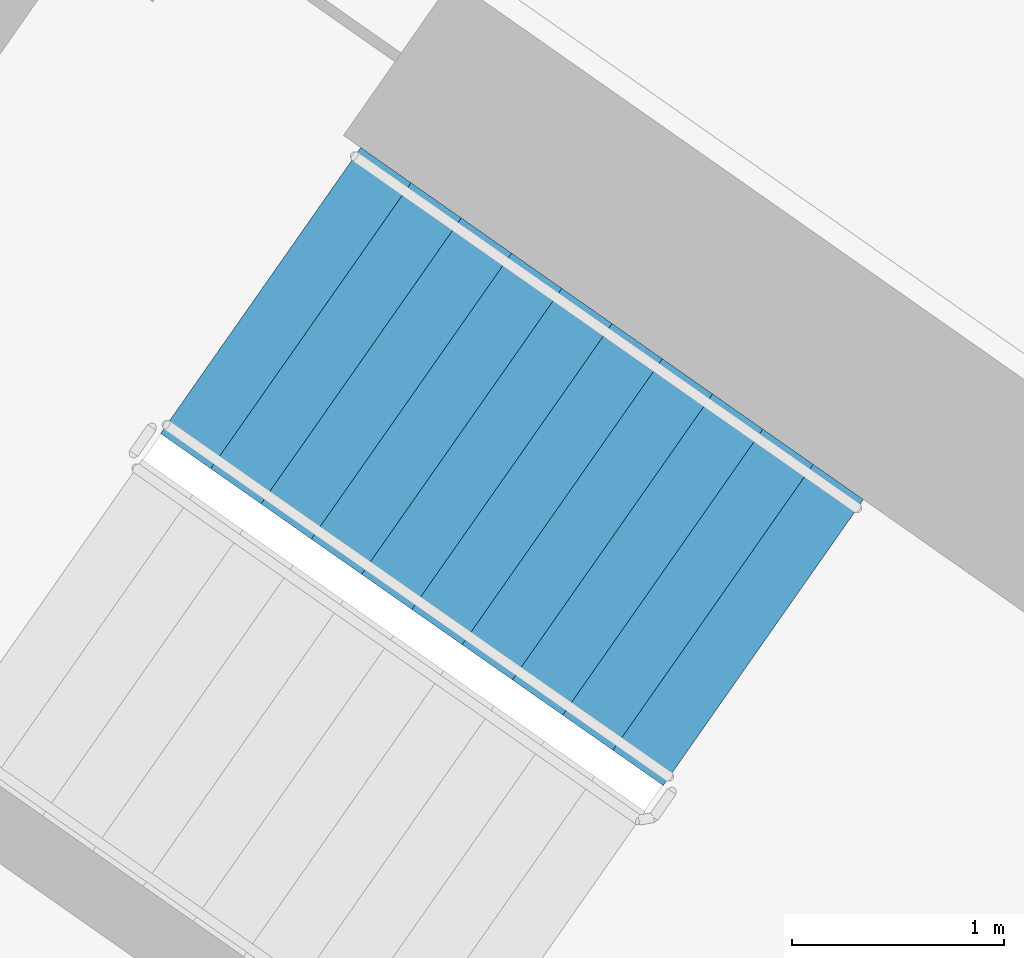
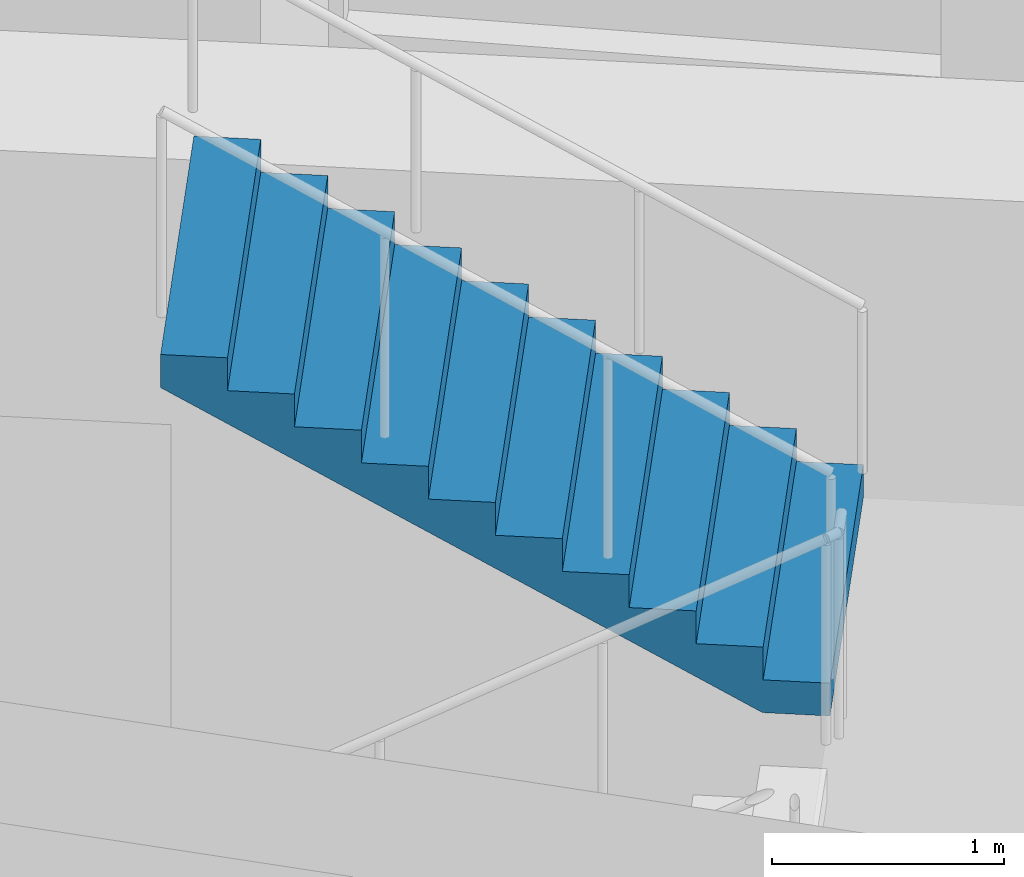
# One storey, part 14 of 30: 1 stair flight, 1 element without a shape of its own.
"""IFC4 building model written with IfcOpenShell, lengths in metres."""

from ifc_helpers import new_model, si_unit, direction, frame, origin, place, context, subcontext, project, spatial, faceted_brep, material, type_object, element, aggregate, save


model = new_model("IFC4")

# Units and contexts
model_context = context("Model", 3, precision=1e-05, world=origin(), true_north=direction((0.0, 1.0)))
body_context = subcontext(model_context, "Body", "Model", "MODEL_VIEW")
ifc_project = project(units=[si_unit("LENGTHUNIT", "METRE"), si_unit("AREAUNIT", "SQUARE_METRE"), si_unit("VOLUMEUNIT", "CUBIC_METRE"), si_unit("PLANEANGLEUNIT", "RADIAN"), si_unit("MASSUNIT", "GRAM", prefix="KILO")], contexts=[model_context])

# Site, building, storey
site_placement = place(None, origin())
site = spatial("IfcSite", under=ifc_project, at=site_placement, CompositionType="ELEMENT")
building_placement = place(site_placement, origin())
building = spatial("IfcBuilding", under=site, at=building_placement, Name="Qamariyya Broadcast Tower", CompositionType="ELEMENT")
storey_placement = place(building_placement, frame((0.0, 0.0, 125.300048828125)))
storey = spatial("IfcBuildingStorey", under=building, at=storey_placement, Name="L28", CompositionType="ELEMENT", Elevation=125.300048828125)

# Stair, stair flight
ifc_material = material(Name="Concrete C50/60", Category="concrete")
stair_type = type_object("IfcStairType", Name="Exit stair 22 risers of 173 mm", PredefinedType="HALF_TURN_STAIR", material=ifc_material)
stair_placement = place(storey_placement, origin())
stair = element("IfcStair", 1, at=stair_placement, inside=storey, type_object=stair_type, Name="L28 Stair W2", PredefinedType="HALF_TURN_STAIR")
stair_flight_type = type_object("IfcStairFlightType", Name="Exit stair flight 11 risers of 173 mm", PredefinedType="STRAIGHT", material=ifc_material)
stair_flight_placement = place(storey_placement, frame((-38.18310546875, -49.3486328125, 1.89990234375), z_axis=(0.0, 0.0, 1.0), x_axis=(-0.819152044289, 0.573576436351, 0.0)))
stair_flight = element("IfcStairFlight", 2, at=stair_flight_placement, type_object=stair_flight_type, Name="ST-W2 flight 2", NumberOfRisers=11, NumberOfTreads=10, PredefinedType="STRAIGHT", RiserHeight=0.172727273, TreadLength=0.29, context=body_context, shape_type="Brep", body=[
    faceted_brep([(0.0, 0.824951171875, 0.0), (0.0, 0.824951171875, 0.172607421875), (0.2900390625, 0.824951171875, 0.172607421875), (0.2900390625, 0.824951171875, 0.345458984375), (0.580078125, 0.824951171875, 0.345458984375), (0.580078125, 0.824951171875, 0.51806640625), (0.8701171875, 0.824951171875, 0.51806640625), (0.8701171875, 0.824951171875, 0.69091796875), (1.159912109375, 0.824951171875, 0.69091796875), (1.159912109375, 0.824951171875, 0.863525390625), (1.449951171875, 0.824951171875, 0.863525390625), (1.449951171875, 0.824951171875, 1.036376953125), (1.739990234375, 0.824951171875, 1.036376953125), (1.739990234375, 0.824951171875, 1.208984375), (2.030029296875, 0.824951171875, 1.208984375), (2.030029296875, 0.824951171875, 1.3818359375), (2.320068359375, 0.824951171875, 1.3818359375), (2.320068359375, 0.824951171875, 1.554443359375), (2.610107421875, 0.824951171875, 1.554443359375), (2.610107421875, 0.824951171875, 1.727294921875), (2.89990234375, 0.824951171875, 1.727294921875), (2.89990234375, 0.824951171875, 1.552734375), (0.29296875, 0.824951171875, 0.0), (0.29296875, -0.824951171875, 0.0), (2.89990234375, -0.824951171875, 1.552734375), (2.89990234375, -0.824951171875, 1.727294921875), (2.610107421875, -0.824951171875, 1.727294921875), (2.610107421875, -0.824951171875, 1.554443359375), (2.320068359375, -0.824951171875, 1.554443359375), (2.320068359375, -0.824951171875, 1.3818359375), (2.030029296875, -0.824951171875, 1.3818359375), (2.030029296875, -0.824951171875, 1.208984375), (1.739990234375, -0.824951171875, 1.208984375), (1.739990234375, -0.824951171875, 1.036376953125), (1.449951171875, -0.824951171875, 1.036376953125), (1.449951171875, -0.824951171875, 0.863525390625), (1.159912109375, -0.824951171875, 0.863525390625), (1.159912109375, -0.824951171875, 0.69091796875), (0.8701171875, -0.824951171875, 0.69091796875), (0.8701171875, -0.824951171875, 0.51806640625), (0.580078125, -0.824951171875, 0.51806640625), (0.580078125, -0.824951171875, 0.345458984375), (0.2900390625, -0.824951171875, 0.345458984375), (0.2900390625, -0.824951171875, 0.172607421875), (0.0, -0.824951171875, 0.172607421875), (0.0, -0.824951171875, 0.0), (0.0, 0.10009765625, 0.0), (0.0, 0.086669921875, 0.0), (0.0, 0.0732421875, 0.0), (0.0, 0.06005859375, 0.0), (0.0, 0.046630859375, 0.0), (0.0, 0.033447265625, 0.0), (0.0, 0.02001953125, 0.0), (0.0, 0.006591796875, 0.0), (0.0, -0.006591796875, 0.0), (0.0, -0.02001953125, 0.0), (0.0, -0.033447265625, 0.0), (0.0, -0.046630859375, 0.0), (0.0, -0.06005859375, 0.0), (0.0, -0.0732421875, 0.0), (0.0, -0.086669921875, 0.0), (0.0, -0.10009765625, 0.0), (0.0, -0.10009765625, 0.172607421875), (0.0, -0.086669921875, 0.172607421875), (0.0, -0.0732421875, 0.172607421875), (0.0, -0.06005859375, 0.172607421875), (0.0, -0.046630859375, 0.172607421875), (0.0, -0.033447265625, 0.172607421875), (0.0, -0.02001953125, 0.172607421875), (0.0, -0.006591796875, 0.172607421875), (0.0, 0.006591796875, 0.172607421875), (0.0, 0.02001953125, 0.172607421875), (0.0, 0.033447265625, 0.172607421875), (0.0, 0.046630859375, 0.172607421875), (0.0, 0.06005859375, 0.172607421875), (0.0, 0.0732421875, 0.172607421875), (0.0, 0.086669921875, 0.172607421875), (0.0, 0.10009765625, 0.172607421875), (0.2900390625, -0.10009765625, 0.172607421875), (0.2900390625, -0.086669921875, 0.172607421875), (0.2900390625, -0.0732421875, 0.172607421875), (0.2900390625, -0.06005859375, 0.172607421875), (0.2900390625, -0.046630859375, 0.172607421875), (0.2900390625, -0.033447265625, 0.172607421875), (0.2900390625, -0.02001953125, 0.172607421875), (0.2900390625, -0.006591796875, 0.172607421875), (0.2900390625, 0.006591796875, 0.172607421875), (0.2900390625, 0.02001953125, 0.172607421875), (0.2900390625, 0.033447265625, 0.172607421875), (0.2900390625, 0.046630859375, 0.172607421875), (0.2900390625, 0.06005859375, 0.172607421875), (0.2900390625, 0.0732421875, 0.172607421875), (0.2900390625, 0.086669921875, 0.172607421875), (0.2900390625, 0.10009765625, 0.172607421875), (0.2900390625, -0.10009765625, 0.345458984375), (0.2900390625, -0.086669921875, 0.345458984375), (0.2900390625, -0.0732421875, 0.345458984375), (0.2900390625, -0.06005859375, 0.345458984375), (0.2900390625, -0.046630859375, 0.345458984375), (0.2900390625, -0.033447265625, 0.345458984375), (0.2900390625, -0.02001953125, 0.345458984375), (0.2900390625, -0.006591796875, 0.345458984375), (0.2900390625, 0.006591796875, 0.345458984375), (0.2900390625, 0.02001953125, 0.345458984375), (0.2900390625, 0.033447265625, 0.345458984375), (0.2900390625, 0.046630859375, 0.345458984375), (0.2900390625, 0.06005859375, 0.345458984375), (0.2900390625, 0.0732421875, 0.345458984375), (0.2900390625, 0.086669921875, 0.345458984375), (0.2900390625, 0.10009765625, 0.345458984375), (0.580078125, -0.10009765625, 0.345458984375), (0.580078125, -0.086669921875, 0.345458984375), (0.580078125, -0.0732421875, 0.345458984375), (0.580078125, -0.06005859375, 0.345458984375), (0.580078125, -0.046630859375, 0.345458984375), (0.580078125, -0.033447265625, 0.345458984375), (0.580078125, -0.02001953125, 0.345458984375), (0.580078125, -0.006591796875, 0.345458984375), (0.580078125, 0.006591796875, 0.345458984375), (0.580078125, 0.02001953125, 0.345458984375), (0.580078125, 0.033447265625, 0.345458984375), (0.580078125, 0.046630859375, 0.345458984375), (0.580078125, 0.06005859375, 0.345458984375), (0.580078125, 0.0732421875, 0.345458984375), (0.580078125, 0.086669921875, 0.345458984375), (0.580078125, 0.10009765625, 0.345458984375), (0.580078125, -0.10009765625, 0.51806640625), (0.580078125, -0.086669921875, 0.51806640625), (0.580078125, -0.0732421875, 0.51806640625), (0.580078125, -0.06005859375, 0.51806640625), (0.580078125, -0.046630859375, 0.51806640625), (0.580078125, -0.033447265625, 0.51806640625), (0.580078125, -0.02001953125, 0.51806640625), (0.580078125, -0.006591796875, 0.51806640625), (0.580078125, 0.006591796875, 0.51806640625), (0.580078125, 0.02001953125, 0.51806640625), (0.580078125, 0.033447265625, 0.51806640625), (0.580078125, 0.046630859375, 0.51806640625), (0.580078125, 0.06005859375, 0.51806640625), (0.580078125, 0.0732421875, 0.51806640625), (0.580078125, 0.086669921875, 0.51806640625), (0.580078125, 0.10009765625, 0.51806640625), (0.8701171875, -0.10009765625, 0.51806640625), (0.8701171875, -0.086669921875, 0.51806640625), (0.8701171875, -0.0732421875, 0.51806640625), (0.8701171875, -0.06005859375, 0.51806640625), (0.8701171875, -0.046630859375, 0.51806640625), (0.8701171875, -0.033447265625, 0.51806640625), (0.8701171875, -0.02001953125, 0.51806640625), (0.8701171875, -0.006591796875, 0.51806640625), (0.8701171875, 0.006591796875, 0.51806640625), (0.8701171875, 0.02001953125, 0.51806640625), (0.8701171875, 0.033447265625, 0.51806640625), (0.8701171875, 0.046630859375, 0.51806640625), (0.8701171875, 0.06005859375, 0.51806640625), (0.8701171875, 0.0732421875, 0.51806640625), (0.8701171875, 0.086669921875, 0.51806640625), (0.8701171875, 0.10009765625, 0.51806640625), (0.8701171875, -0.10009765625, 0.69091796875), (0.8701171875, -0.086669921875, 0.69091796875), (0.8701171875, -0.0732421875, 0.69091796875), (0.8701171875, -0.06005859375, 0.69091796875), (0.8701171875, -0.046630859375, 0.69091796875), (0.8701171875, -0.033447265625, 0.69091796875), (0.8701171875, -0.02001953125, 0.69091796875), (0.8701171875, -0.006591796875, 0.69091796875), (0.8701171875, 0.006591796875, 0.69091796875), (0.8701171875, 0.02001953125, 0.69091796875), (0.8701171875, 0.033447265625, 0.69091796875), (0.8701171875, 0.046630859375, 0.69091796875), (0.8701171875, 0.06005859375, 0.69091796875), (0.8701171875, 0.0732421875, 0.69091796875), (0.8701171875, 0.086669921875, 0.69091796875), (0.8701171875, 0.10009765625, 0.69091796875), (1.159912109375, -0.10009765625, 0.69091796875), (1.159912109375, -0.086669921875, 0.69091796875), (1.159912109375, -0.0732421875, 0.69091796875), (1.159912109375, -0.06005859375, 0.69091796875), (1.159912109375, -0.046630859375, 0.69091796875), (1.159912109375, -0.033447265625, 0.69091796875), (1.159912109375, -0.02001953125, 0.69091796875), (1.159912109375, -0.006591796875, 0.69091796875), (1.159912109375, 0.006591796875, 0.69091796875), (1.159912109375, 0.02001953125, 0.69091796875), (1.159912109375, 0.033447265625, 0.69091796875), (1.159912109375, 0.046630859375, 0.69091796875), (1.159912109375, 0.06005859375, 0.69091796875), (1.159912109375, 0.0732421875, 0.69091796875), (1.159912109375, 0.086669921875, 0.69091796875), (1.159912109375, 0.10009765625, 0.69091796875), (1.159912109375, -0.10009765625, 0.863525390625), (1.159912109375, -0.086669921875, 0.863525390625), (1.159912109375, -0.0732421875, 0.863525390625), (1.159912109375, -0.06005859375, 0.863525390625), (1.159912109375, -0.046630859375, 0.863525390625), (1.159912109375, -0.033447265625, 0.863525390625), (1.159912109375, -0.02001953125, 0.863525390625), (1.159912109375, -0.006591796875, 0.863525390625), (1.159912109375, 0.006591796875, 0.863525390625), (1.159912109375, 0.02001953125, 0.863525390625), (1.159912109375, 0.033447265625, 0.863525390625), (1.159912109375, 0.046630859375, 0.863525390625), (1.159912109375, 0.06005859375, 0.863525390625), (1.159912109375, 0.0732421875, 0.863525390625), (1.159912109375, 0.086669921875, 0.863525390625), (1.159912109375, 0.10009765625, 0.863525390625), (1.449951171875, -0.10009765625, 0.863525390625), (1.449951171875, -0.086669921875, 0.863525390625), (1.449951171875, -0.0732421875, 0.863525390625), (1.449951171875, -0.06005859375, 0.863525390625), (1.449951171875, -0.046630859375, 0.863525390625), (1.449951171875, -0.033447265625, 0.863525390625), (1.449951171875, -0.02001953125, 0.863525390625), (1.449951171875, -0.006591796875, 0.863525390625), (1.449951171875, 0.006591796875, 0.863525390625), (1.449951171875, 0.02001953125, 0.863525390625), (1.449951171875, 0.033447265625, 0.863525390625), (1.449951171875, 0.046630859375, 0.863525390625), (1.449951171875, 0.06005859375, 0.863525390625), (1.449951171875, 0.0732421875, 0.863525390625), (1.449951171875, 0.086669921875, 0.863525390625), (1.449951171875, 0.10009765625, 0.863525390625), (1.449951171875, -0.10009765625, 1.036376953125), (1.449951171875, -0.086669921875, 1.036376953125), (1.449951171875, -0.0732421875, 1.036376953125), (1.449951171875, -0.06005859375, 1.036376953125), (1.449951171875, -0.046630859375, 1.036376953125), (1.449951171875, -0.033447265625, 1.036376953125), (1.449951171875, -0.02001953125, 1.036376953125), (1.449951171875, -0.006591796875, 1.036376953125), (1.449951171875, 0.006591796875, 1.036376953125), (1.449951171875, 0.02001953125, 1.036376953125), (1.449951171875, 0.033447265625, 1.036376953125), (1.449951171875, 0.046630859375, 1.036376953125), (1.449951171875, 0.06005859375, 1.036376953125), (1.449951171875, 0.0732421875, 1.036376953125), (1.449951171875, 0.086669921875, 1.036376953125), (1.449951171875, 0.10009765625, 1.036376953125), (1.739990234375, -0.10009765625, 1.036376953125), (1.739990234375, -0.086669921875, 1.036376953125), (1.739990234375, -0.0732421875, 1.036376953125), (1.739990234375, -0.06005859375, 1.036376953125), (1.739990234375, -0.046630859375, 1.036376953125), (1.739990234375, -0.033447265625, 1.036376953125), (1.739990234375, -0.02001953125, 1.036376953125), (1.739990234375, -0.006591796875, 1.036376953125), (1.739990234375, 0.006591796875, 1.036376953125), (1.739990234375, 0.02001953125, 1.036376953125), (1.739990234375, 0.033447265625, 1.036376953125), (1.739990234375, 0.046630859375, 1.036376953125), (1.739990234375, 0.06005859375, 1.036376953125), (1.739990234375, 0.0732421875, 1.036376953125), (1.739990234375, 0.086669921875, 1.036376953125), (1.739990234375, 0.10009765625, 1.036376953125), (1.739990234375, -0.10009765625, 1.208984375), (1.739990234375, -0.086669921875, 1.208984375), (1.739990234375, -0.0732421875, 1.208984375), (1.739990234375, -0.06005859375, 1.208984375), (1.739990234375, -0.046630859375, 1.208984375), (1.739990234375, -0.033447265625, 1.208984375), (1.739990234375, -0.02001953125, 1.208984375), (1.739990234375, -0.006591796875, 1.208984375), (1.739990234375, 0.006591796875, 1.208984375), (1.739990234375, 0.02001953125, 1.208984375), (1.739990234375, 0.033447265625, 1.208984375), (1.739990234375, 0.046630859375, 1.208984375), (1.739990234375, 0.06005859375, 1.208984375), (1.739990234375, 0.0732421875, 1.208984375), (1.739990234375, 0.086669921875, 1.208984375), (1.739990234375, 0.10009765625, 1.208984375), (2.030029296875, -0.10009765625, 1.208984375), (2.030029296875, -0.086669921875, 1.208984375), (2.030029296875, -0.0732421875, 1.208984375), (2.030029296875, -0.06005859375, 1.208984375), (2.030029296875, -0.046630859375, 1.208984375), (2.030029296875, -0.033447265625, 1.208984375), (2.030029296875, -0.02001953125, 1.208984375), (2.030029296875, -0.006591796875, 1.208984375), (2.030029296875, 0.006591796875, 1.208984375), (2.030029296875, 0.02001953125, 1.208984375), (2.030029296875, 0.033447265625, 1.208984375), (2.030029296875, 0.046630859375, 1.208984375), (2.030029296875, 0.06005859375, 1.208984375), (2.030029296875, 0.0732421875, 1.208984375), (2.030029296875, 0.086669921875, 1.208984375), (2.030029296875, 0.10009765625, 1.208984375), (2.030029296875, -0.10009765625, 1.3818359375), (2.030029296875, -0.086669921875, 1.3818359375), (2.030029296875, -0.0732421875, 1.3818359375), (2.030029296875, -0.06005859375, 1.3818359375), (2.030029296875, -0.046630859375, 1.3818359375), (2.030029296875, -0.033447265625, 1.3818359375), (2.030029296875, -0.02001953125, 1.3818359375), (2.030029296875, -0.006591796875, 1.3818359375), (2.030029296875, 0.006591796875, 1.3818359375), (2.030029296875, 0.02001953125, 1.3818359375), (2.030029296875, 0.033447265625, 1.3818359375), (2.030029296875, 0.046630859375, 1.3818359375), (2.030029296875, 0.06005859375, 1.3818359375), (2.030029296875, 0.0732421875, 1.3818359375), (2.030029296875, 0.086669921875, 1.3818359375), (2.030029296875, 0.10009765625, 1.3818359375), (2.320068359375, -0.10009765625, 1.3818359375), (2.320068359375, -0.086669921875, 1.3818359375), (2.320068359375, -0.0732421875, 1.3818359375), (2.320068359375, -0.06005859375, 1.3818359375), (2.320068359375, -0.046630859375, 1.3818359375), (2.320068359375, -0.033447265625, 1.3818359375), (2.320068359375, -0.02001953125, 1.3818359375), (2.320068359375, -0.006591796875, 1.3818359375), (2.320068359375, 0.006591796875, 1.3818359375), (2.320068359375, 0.02001953125, 1.3818359375), (2.320068359375, 0.033447265625, 1.3818359375), (2.320068359375, 0.046630859375, 1.3818359375), (2.320068359375, 0.06005859375, 1.3818359375), (2.320068359375, 0.0732421875, 1.3818359375), (2.320068359375, 0.086669921875, 1.3818359375), (2.320068359375, 0.10009765625, 1.3818359375), (2.320068359375, -0.10009765625, 1.554443359375), (2.320068359375, -0.086669921875, 1.554443359375), (2.320068359375, -0.0732421875, 1.554443359375), (2.320068359375, -0.06005859375, 1.554443359375), (2.320068359375, -0.046630859375, 1.554443359375), (2.320068359375, -0.033447265625, 1.554443359375), (2.320068359375, -0.02001953125, 1.554443359375), (2.320068359375, -0.006591796875, 1.554443359375), (2.320068359375, 0.006591796875, 1.554443359375), (2.320068359375, 0.02001953125, 1.554443359375), (2.320068359375, 0.033447265625, 1.554443359375), (2.320068359375, 0.046630859375, 1.554443359375), (2.320068359375, 0.06005859375, 1.554443359375), (2.320068359375, 0.0732421875, 1.554443359375), (2.320068359375, 0.086669921875, 1.554443359375), (2.320068359375, 0.10009765625, 1.554443359375), (2.610107421875, -0.10009765625, 1.554443359375), (2.610107421875, -0.086669921875, 1.554443359375), (2.610107421875, -0.0732421875, 1.554443359375), (2.610107421875, -0.06005859375, 1.554443359375), (2.610107421875, -0.046630859375, 1.554443359375), (2.610107421875, -0.033447265625, 1.554443359375), (2.610107421875, -0.02001953125, 1.554443359375), (2.610107421875, -0.006591796875, 1.554443359375), (2.610107421875, 0.006591796875, 1.554443359375), (2.610107421875, 0.02001953125, 1.554443359375), (2.610107421875, 0.033447265625, 1.554443359375), (2.610107421875, 0.046630859375, 1.554443359375), (2.610107421875, 0.06005859375, 1.554443359375), (2.610107421875, 0.0732421875, 1.554443359375), (2.610107421875, 0.086669921875, 1.554443359375), (2.610107421875, 0.10009765625, 1.554443359375), (2.610107421875, -0.10009765625, 1.727294921875), (2.610107421875, -0.086669921875, 1.727294921875), (2.610107421875, -0.0732421875, 1.727294921875), (2.610107421875, -0.06005859375, 1.727294921875), (2.610107421875, -0.046630859375, 1.727294921875), (2.610107421875, -0.033447265625, 1.727294921875), (2.610107421875, -0.02001953125, 1.727294921875), (2.610107421875, -0.006591796875, 1.727294921875), (2.610107421875, 0.006591796875, 1.727294921875), (2.610107421875, 0.02001953125, 1.727294921875), (2.610107421875, 0.033447265625, 1.727294921875), (2.610107421875, 0.046630859375, 1.727294921875), (2.610107421875, 0.06005859375, 1.727294921875), (2.610107421875, 0.0732421875, 1.727294921875), (2.610107421875, 0.086669921875, 1.727294921875), (2.610107421875, 0.10009765625, 1.727294921875), (2.89990234375, -0.10009765625, 1.727294921875), (2.89990234375, -0.086669921875, 1.727294921875), (2.89990234375, -0.0732421875, 1.727294921875), (2.89990234375, -0.06005859375, 1.727294921875), (2.89990234375, -0.046630859375, 1.727294921875), (2.89990234375, -0.033447265625, 1.727294921875), (2.89990234375, -0.02001953125, 1.727294921875), (2.89990234375, -0.006591796875, 1.727294921875), (2.89990234375, 0.006591796875, 1.727294921875), (2.89990234375, 0.02001953125, 1.727294921875), (2.89990234375, 0.033447265625, 1.727294921875), (2.89990234375, 0.046630859375, 1.727294921875), (2.89990234375, 0.06005859375, 1.727294921875), (2.89990234375, 0.0732421875, 1.727294921875), (2.89990234375, 0.086669921875, 1.727294921875), (2.89990234375, 0.10009765625, 1.727294921875), (2.89990234375, -0.10009765625, 1.552734375), (2.89990234375, -0.086669921875, 1.552734375), (2.89990234375, -0.0732421875, 1.552734375), (2.89990234375, -0.06005859375, 1.552734375), (2.89990234375, -0.046630859375, 1.552734375), (2.89990234375, -0.033447265625, 1.552734375), (2.89990234375, -0.02001953125, 1.552734375), (2.89990234375, -0.006591796875, 1.552734375), (2.89990234375, 0.006591796875, 1.552734375), (2.89990234375, 0.02001953125, 1.552734375), (2.89990234375, 0.033447265625, 1.552734375), (2.89990234375, 0.046630859375, 1.552734375), (2.89990234375, 0.06005859375, 1.552734375), (2.89990234375, 0.0732421875, 1.552734375), (2.89990234375, 0.086669921875, 1.552734375), (2.89990234375, 0.10009765625, 1.552734375), (0.29296875, -0.10009765625, 0.0), (0.29296875, -0.086669921875, 0.0), (0.29296875, -0.0732421875, 0.0), (0.29296875, -0.06005859375, 0.0), (0.29296875, -0.046630859375, 0.0), (0.29296875, -0.033447265625, 0.0), (0.29296875, -0.02001953125, 0.0), (0.29296875, -0.006591796875, 0.0), (0.29296875, 0.006591796875, 0.0), (0.29296875, 0.02001953125, 0.0), (0.29296875, 0.033447265625, 0.0), (0.29296875, 0.046630859375, 0.0), (0.29296875, 0.06005859375, 0.0), (0.29296875, 0.0732421875, 0.0), (0.29296875, 0.086669921875, 0.0), (0.29296875, 0.10009765625, 0.0)], [[[0, 1, 2, 3, 4, 5, 6, 7, 8, 9, 10, 11, 12, 13, 14, 15, 16, 17, 18, 19, 20, 21, 22]], [[23, 24, 25, 26, 27, 28, 29, 30, 31, 32, 33, 34, 35, 36, 37, 38, 39, 40, 41, 42, 43, 44, 45]], [[0, 46, 47, 48, 49, 50, 51, 52, 53, 54, 55, 56, 57, 58, 59, 60, 61, 45, 44, 62, 63, 64, 65, 66, 67, 68, 69, 70, 71, 72, 73, 74, 75, 76, 77, 1]], [[1, 77, 76, 75, 74, 73, 72, 71, 70, 69, 68, 67, 66, 65, 64, 63, 62, 44, 43, 78, 79, 80, 81, 82, 83, 84, 85, 86, 87, 88, 89, 90, 91, 92, 93, 2]], [[2, 93, 92, 91, 90, 89, 88, 87, 86, 85, 84, 83, 82, 81, 80, 79, 78, 43, 42, 94, 95, 96, 97, 98, 99, 100, 101, 102, 103, 104, 105, 106, 107, 108, 109, 3]], [[3, 109, 108, 107, 106, 105, 104, 103, 102, 101, 100, 99, 98, 97, 96, 95, 94, 42, 41, 110, 111, 112, 113, 114, 115, 116, 117, 118, 119, 120, 121, 122, 123, 124, 125, 4]], [[4, 125, 124, 123, 122, 121, 120, 119, 118, 117, 116, 115, 114, 113, 112, 111, 110, 41, 40, 126, 127, 128, 129, 130, 131, 132, 133, 134, 135, 136, 137, 138, 139, 140, 141, 5]], [[5, 141, 140, 139, 138, 137, 136, 135, 134, 133, 132, 131, 130, 129, 128, 127, 126, 40, 39, 142, 143, 144, 145, 146, 147, 148, 149, 150, 151, 152, 153, 154, 155, 156, 157, 6]], [[6, 157, 156, 155, 154, 153, 152, 151, 150, 149, 148, 147, 146, 145, 144, 143, 142, 39, 38, 158, 159, 160, 161, 162, 163, 164, 165, 166, 167, 168, 169, 170, 171, 172, 173, 7]], [[7, 173, 172, 171, 170, 169, 168, 167, 166, 165, 164, 163, 162, 161, 160, 159, 158, 38, 37, 174, 175, 176, 177, 178, 179, 180, 181, 182, 183, 184, 185, 186, 187, 188, 189, 8]], [[8, 189, 188, 187, 186, 185, 184, 183, 182, 181, 180, 179, 178, 177, 176, 175, 174, 37, 36, 190, 191, 192, 193, 194, 195, 196, 197, 198, 199, 200, 201, 202, 203, 204, 205, 9]], [[9, 205, 204, 203, 202, 201, 200, 199, 198, 197, 196, 195, 194, 193, 192, 191, 190, 36, 35, 206, 207, 208, 209, 210, 211, 212, 213, 214, 215, 216, 217, 218, 219, 220, 221, 10]], [[10, 221, 220, 219, 218, 217, 216, 215, 214, 213, 212, 211, 210, 209, 208, 207, 206, 35, 34, 222, 223, 224, 225, 226, 227, 228, 229, 230, 231, 232, 233, 234, 235, 236, 237, 11]], [[11, 237, 236, 235, 234, 233, 232, 231, 230, 229, 228, 227, 226, 225, 224, 223, 222, 34, 33, 238, 239, 240, 241, 242, 243, 244, 245, 246, 247, 248, 249, 250, 251, 252, 253, 12]], [[12, 253, 252, 251, 250, 249, 248, 247, 246, 245, 244, 243, 242, 241, 240, 239, 238, 33, 32, 254, 255, 256, 257, 258, 259, 260, 261, 262, 263, 264, 265, 266, 267, 268, 269, 13]], [[13, 269, 268, 267, 266, 265, 264, 263, 262, 261, 260, 259, 258, 257, 256, 255, 254, 32, 31, 270, 271, 272, 273, 274, 275, 276, 277, 278, 279, 280, 281, 282, 283, 284, 285, 14]], [[14, 285, 284, 283, 282, 281, 280, 279, 278, 277, 276, 275, 274, 273, 272, 271, 270, 31, 30, 286, 287, 288, 289, 290, 291, 292, 293, 294, 295, 296, 297, 298, 299, 300, 301, 15]], [[15, 301, 300, 299, 298, 297, 296, 295, 294, 293, 292, 291, 290, 289, 288, 287, 286, 30, 29, 302, 303, 304, 305, 306, 307, 308, 309, 310, 311, 312, 313, 314, 315, 316, 317, 16]], [[16, 317, 316, 315, 314, 313, 312, 311, 310, 309, 308, 307, 306, 305, 304, 303, 302, 29, 28, 318, 319, 320, 321, 322, 323, 324, 325, 326, 327, 328, 329, 330, 331, 332, 333, 17]], [[17, 333, 332, 331, 330, 329, 328, 327, 326, 325, 324, 323, 322, 321, 320, 319, 318, 28, 27, 334, 335, 336, 337, 338, 339, 340, 341, 342, 343, 344, 345, 346, 347, 348, 349, 18]], [[18, 349, 348, 347, 346, 345, 344, 343, 342, 341, 340, 339, 338, 337, 336, 335, 334, 27, 26, 350, 351, 352, 353, 354, 355, 356, 357, 358, 359, 360, 361, 362, 363, 364, 365, 19]], [[19, 365, 364, 363, 362, 361, 360, 359, 358, 357, 356, 355, 354, 353, 352, 351, 350, 26, 25, 366, 367, 368, 369, 370, 371, 372, 373, 374, 375, 376, 377, 378, 379, 380, 381, 20]], [[20, 381, 380, 379, 378, 377, 376, 375, 374, 373, 372, 371, 370, 369, 368, 367, 366, 25, 24, 382, 383, 384, 385, 386, 387, 388, 389, 390, 391, 392, 393, 394, 395, 396, 397, 21]], [[21, 397, 396, 395, 394, 393, 392, 391, 390, 389, 388, 387, 386, 385, 384, 383, 382, 24, 23, 398, 399, 400, 401, 402, 403, 404, 405, 406, 407, 408, 409, 410, 411, 412, 413, 22]], [[22, 413, 412, 411, 410, 409, 408, 407, 406, 405, 404, 403, 402, 401, 400, 399, 398, 23, 45, 61, 60, 59, 58, 57, 56, 55, 54, 53, 52, 51, 50, 49, 48, 47, 46, 0]]]),
])
aggregate(stair, [stair_flight])

save(model, "model.ifc")
